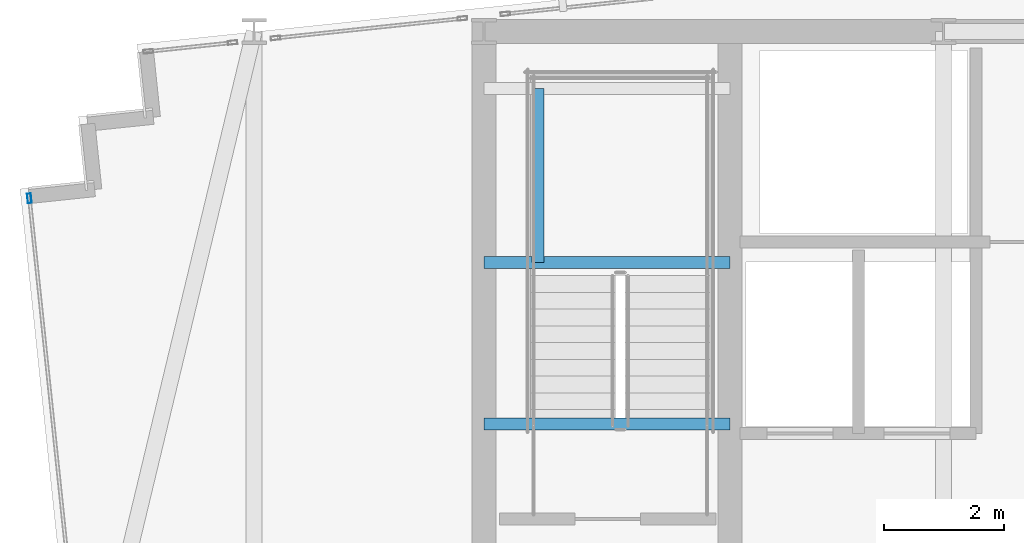
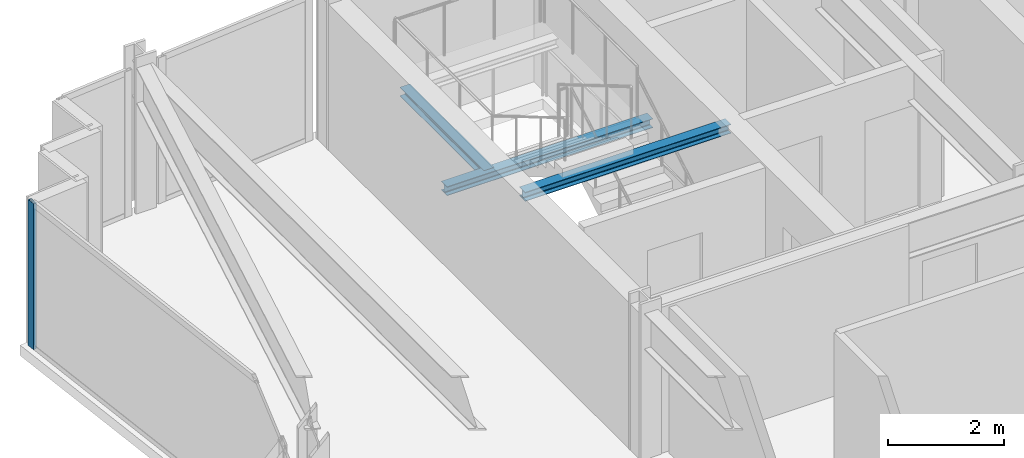
# One storey, part 12 of 33: 3 beams, 1 member, 1 element without a shape of its own.
"""IFC4 building model written with IfcOpenShell, lengths in metres."""

from ifc_helpers import new_model, si_unit, direction, frame, origin, origin_2d, place, context, subcontext, project, spatial, hollow_rectangle, i_section, extrude, material, material_profile, profile_set, type_object, element, aggregate, save


model = new_model("IFC4")

# Units and contexts
model_context = context("Model", 3, precision=1e-05, world=origin(), true_north=direction((0.0, 1.0)))
body_context = subcontext(model_context, "Body", "Model", "MODEL_VIEW")
ifc_project = project(units=[si_unit("LENGTHUNIT", "METRE"), si_unit("AREAUNIT", "SQUARE_METRE"), si_unit("VOLUMEUNIT", "CUBIC_METRE"), si_unit("PLANEANGLEUNIT", "RADIAN"), si_unit("MASSUNIT", "GRAM", prefix="KILO")], contexts=[model_context])

# Site, building, storey
site_placement = place(None, origin())
site = spatial("IfcSite", under=ifc_project, at=site_placement, CompositionType="ELEMENT")
building_placement = place(site_placement, origin())
building = spatial("IfcBuilding", under=site, at=building_placement, Name="Yelkora Congress Tower", CompositionType="ELEMENT")
storey_placement = place(building_placement, frame((0.0, 0.0, 230.89990234375)))
storey = spatial("IfcBuildingStorey", under=building, at=storey_placement, Name="L64", CompositionType="ELEMENT", Elevation=230.89990234375)

# Beams
ifc_material_1 = material(Name="Steel S355J2", Category="steel")
ifc_material_profile_1 = material_profile(ifc_material_1, i_section(OverallWidth=0.199951171875, OverallDepth=0.18994140625, WebThickness=0.006591796875, FlangeThickness=0.010009765625, FilletRadius=0.01806640625, at=origin_2d()), Name="HEA 200")
ifc_profile_set_1 = profile_set([ifc_material_profile_1], Name="Steel S355J2")
beam_type = type_object("IfcBeamType", Name="BM-LAND-HEA200", PredefinedType="BEAM", material=ifc_profile_set_1)
beam_1_placement = place(storey_placement, frame((23.0400390625, 42.340087890625, 1.334716796875), z_axis=(1.0, 0.0, 0.0), x_axis=(0.0, 1.0, 0.0)))
element("IfcBeam", 1, at=beam_1_placement, inside=storey, type_object=beam_type, Name="ST-01 L64 Landing Header Beam 1S", PredefinedType="BEAM", context=body_context, shape_type="SweptSolid", body=[
    extrude(i_section(OverallWidth=0.199951171875, OverallDepth=0.18994140625, WebThickness=0.006591796875, FlangeThickness=0.010009765625, FilletRadius=0.01806640625, at=origin_2d()), origin(), (0.0, 0.0, 1.0), 4.10986328125),
])
beam_2_placement = place(storey_placement, frame((23.93994140625, 42.340087890625, 1.334716796875), z_axis=(0.0, 1.0, 0.0), x_axis=(-1.0, 0.0, 0.0)))
element("IfcBeam", 2, at=beam_2_placement, inside=storey, type_object=beam_type, Name="ST-01 L64 Landing Trimmer Beam 1M", PredefinedType="BEAM", context=body_context, shape_type="SweptSolid", body=[
    extrude(i_section(OverallWidth=0.199951171875, OverallDepth=0.18994140625, WebThickness=0.006591796875, FlangeThickness=0.010009765625, FilletRadius=0.01806640625, at=origin_2d()), origin(), (0.0, 0.0, 1.0), 2.909912109375),
])
beam_3_placement = place(storey_placement, frame((23.0400390625, 39.639892578125, 2.85400390625), z_axis=(1.0, 0.0, 0.0), x_axis=(0.0, 1.0, 0.0)))
element("IfcBeam", 3, at=beam_3_placement, inside=storey, type_object=beam_type, Name="ST-01 L64 Floor Arrival Stringer Header Beam", PredefinedType="BEAM", context=body_context, shape_type="SweptSolid", body=[
    extrude(i_section(OverallWidth=0.199951171875, OverallDepth=0.18994140625, WebThickness=0.006591796875, FlangeThickness=0.010009765625, FilletRadius=0.01806640625, at=origin_2d()), origin(), (0.0, 0.0, 1.0), 4.10986328125),
])

# Curtain wall, member
ifc_material_2 = material(Name="Anodised aluminium and insulated glass", Category="aluminium")
curtain_wall_type = type_object("IfcCurtainWallType", Name="CW-SYS-B4", PredefinedType="NOTDEFINED", material=ifc_material_2)
curtain_wall_placement = place(storey_placement, origin())
curtain_wall = element("IfcCurtainWall", 4, at=curtain_wall_placement, inside=storey, type_object=curtain_wall_type, Name="L64 Unitised Curtain Wall 5", PredefinedType="NOTDEFINED")
ifc_material_3 = material(Name="Anodised aluminium 6063-T6", Category="aluminium")
ifc_material_profile_2 = material_profile(ifc_material_3, hollow_rectangle(XDim=0.06494140625, YDim=0.159912109375, WallThickness=0.00390625, at=origin_2d()), Name="ALU 65x160x4")
ifc_profile_set_2 = profile_set([ifc_material_profile_2], Name="Anodised aluminium 6063-T6")
member_type = type_object("IfcMemberType", Name="MEM-ML-B4", PredefinedType="MULLION", material=ifc_profile_set_2)
member_placement = place(storey_placement, frame((15.444580078125, 43.412353515625, 0.0), z_axis=(0.0, 0.0, 1.0), x_axis=(-0.994522145958, -0.104526079034, 0.0)))
member = element("IfcMember", 5, at=member_placement, type_object=member_type, Name="CW-B4 mullion 5", PredefinedType="MULLION", context=body_context, shape_type="SweptSolid", body=[
    extrude(hollow_rectangle(XDim=0.06494140625, YDim=0.159912109375, WallThickness=0.00390625, at=origin_2d()), origin(), (0.0, 0.0, 1.0), 3.080078125),
])
aggregate(curtain_wall, [member])

save(model, "model.ifc")
